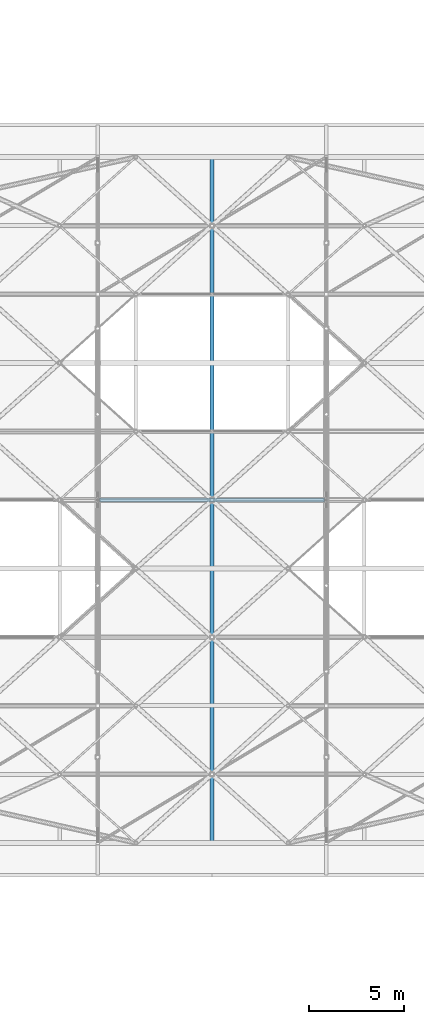
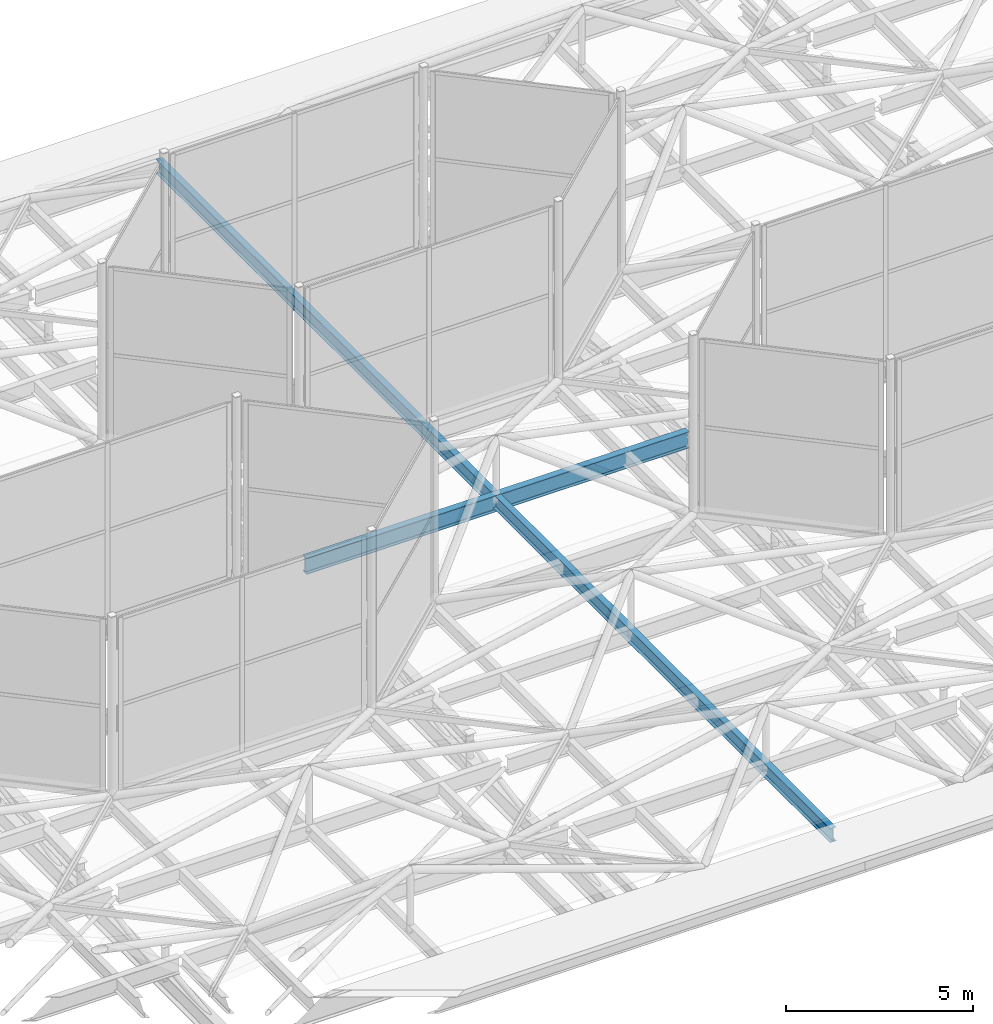
# One storey, part 113 of 239: 2 beams.
"""IFC4 building model written with IfcOpenShell, lengths in metres."""

from ifc_helpers import new_model, si_unit, direction, frame, origin, origin_2d, place, context, subcontext, project, spatial, i_section, extrude, material, material_profile, profile_set, type_object, element, save


model = new_model("IFC4")

# Units and contexts
model_context = context("Model", 3, precision=1e-05, world=origin(), true_north=direction((0.0, 1.0)))
body_context = subcontext(model_context, "Body", "Model", "MODEL_VIEW")
ifc_project = project(units=[si_unit("LENGTHUNIT", "METRE"), si_unit("AREAUNIT", "SQUARE_METRE"), si_unit("VOLUMEUNIT", "CUBIC_METRE"), si_unit("PLANEANGLEUNIT", "RADIAN"), si_unit("MASSUNIT", "GRAM", prefix="KILO")], contexts=[model_context])

# Site, building, storey
site_placement = place(None, origin())
site = spatial("IfcSite", under=ifc_project, at=site_placement, CompositionType="ELEMENT")
building_placement = place(site_placement, origin())
building = spatial("IfcBuilding", under=site, at=building_placement, Name="Dunvalen Ferry Terminal", CompositionType="ELEMENT")
storey_placement = place(building_placement, frame((0.0, 0.0, 9.840087890625)))
storey = spatial("IfcBuildingStorey", under=building, at=storey_placement, Name="L02", CompositionType="ELEMENT", Elevation=9.840087890625)

# Beams
ifc_material = material(Name="Steel S355", Category="steel")
ifc_material_profile_1 = material_profile(ifc_material, i_section(OverallWidth=0.1904296875, OverallDepth=0.45703125, WebThickness=0.009033203125, FlangeThickness=0.014404296875, FilletRadius=0.01025390625, at=origin_2d()), Name="Steel S355")
ifc_profile_set_1 = profile_set([ifc_material_profile_1], Name="Steel S355")
beam_type_1 = type_object("IfcBeamType", Name="STR-BM-UKB457", PredefinedType="BEAM", material=ifc_profile_set_1)
beam_1_placement = place(storey_placement, frame((66.0, 50.39990234375, 0.771484375), z_axis=(0.0, 1.0, 0.0), x_axis=(-1.0, 0.0, 0.0)))
element("IfcBeam", 1, at=beam_1_placement, inside=storey, type_object=beam_type_1, Name="Departure Hall Hex-Grid Cross Beam B5.2", PredefinedType="BEAM", context=body_context, shape_type="SweptSolid", body=[
    extrude(i_section(OverallWidth=0.1904296875, OverallDepth=0.45703125, WebThickness=0.009033203125, FlangeThickness=0.014404296875, FilletRadius=0.01025390625, at=origin_2d()), origin(), (0.0, 0.0, 1.0), 36.0),
])
ifc_material_profile_2 = material_profile(ifc_material, i_section(OverallWidth=0.209228515625, OverallDepth=0.533203125, WebThickness=0.010009765625, FlangeThickness=0.015625, FilletRadius=0.0126953125, at=origin_2d()), Name="Steel S355")
ifc_profile_set_2 = profile_set([ifc_material_profile_2], Name="Steel S355")
beam_type_2 = type_object("IfcBeamType", Name="STR-BM-UKB533", PredefinedType="BEAM", material=ifc_profile_set_2)
beam_2_placement = place(storey_placement, frame((60.10009765625, 68.39990234375, 0.7333984375), z_axis=(1.0, 0.0, 0.0), x_axis=(0.0, 1.0, 0.0)))
element("IfcBeam", 2, at=beam_2_placement, inside=storey, type_object=beam_type_2, Name="Departure Hall Spine Girder B5.06", PredefinedType="BEAM", context=body_context, shape_type="SweptSolid", body=[
    extrude(i_section(OverallWidth=0.209228515625, OverallDepth=0.533203125, WebThickness=0.010009765625, FlangeThickness=0.015625, FilletRadius=0.0126953125, at=origin_2d()), origin(), (0.0, 0.0, 1.0), 11.7998046875),
])

save(model, "model.ifc")
